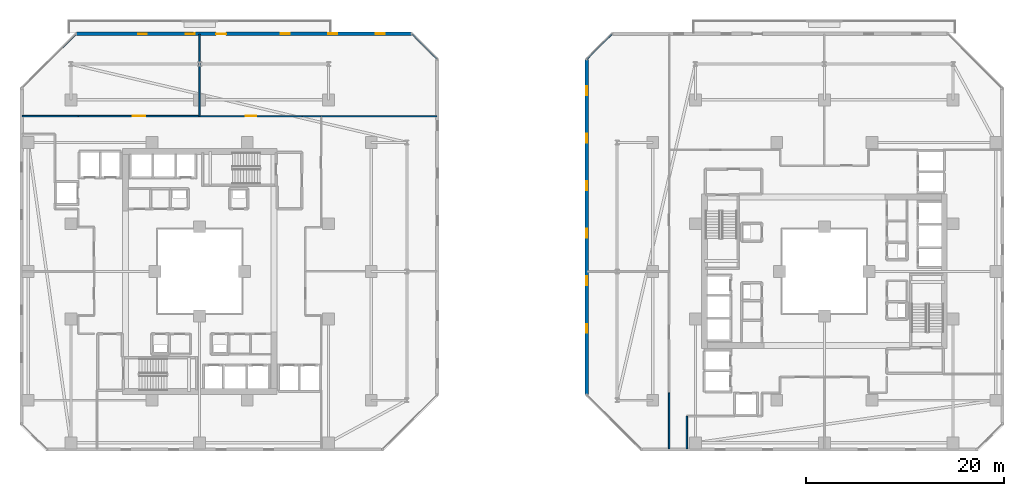
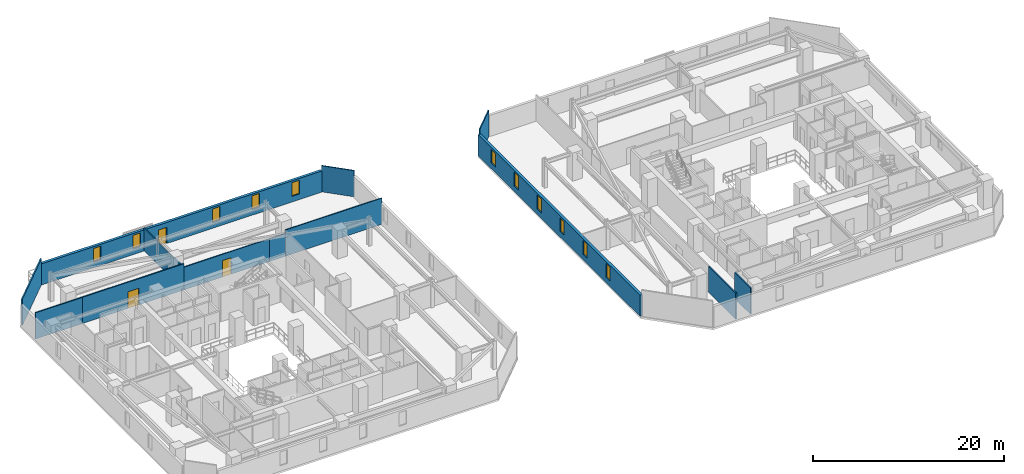
# One storey, part 19 of 29: 13 walls, 11 windows, 3 doors, 14 openings.
"""IFC4 building model written with IfcOpenShell, lengths in metres."""

import ifcopenshell
import ifcopenshell.guid

model = None  # the IFC model being written
_history = None  # IfcOwnerHistory: only IFC2X3 demands one
_inside = {}  # id of a spatial element -> (the spatial element, [elements in it])
_under = {}  # id of a project, library or spatial element -> (it, [spatial elements below it])
_declared = {}  # id of a project -> (the project, [libraries it declares])
_typed = {}  # id of a type object -> (the type object, [elements of that type])
_made_of = {}  # id of a material, layer set ... -> (it, [elements and type objects made of it])


def new_model(schema):
    """Start an empty IFC model of exactly this schema.

    Asked for "IFC4X3", IfcOpenShell would pick the latest addendum, in which some entities
    have other attributes; the version numbers below select the first issue.
    IFC2X3 requires an IfcOwnerHistory on every rooted entity: one is made here for all.
    """
    global model, _history
    if schema == "IFC4X3":
        model = ifcopenshell.file(schema_version=(4, 3, 0, 0))
    else:
        model = ifcopenshell.file(schema=schema)
    _inside.clear()
    _under.clear()
    _declared.clear()
    _typed.clear()
    _made_of.clear()
    _history = None
    if model.schema == "IFC2X3":
        org = make("IfcOrganization", Name="unknown")
        user = make(
            "IfcPersonAndOrganization",
            ThePerson=make("IfcPerson", FamilyName="unknown"),
            TheOrganization=org,
        )
        app = make(
            "IfcApplication",
            ApplicationDeveloper=org,
            Version="unknown",
            ApplicationFullName="unknown",
            ApplicationIdentifier="unknown",
        )
        _history = make(
            "IfcOwnerHistory",
            OwningUser=user,
            OwningApplication=app,
            ChangeAction="ADDED",
            CreationDate=0,
        )
    return model


def make(cls, **values):
    """One entity of the class cls with the attributes given. An attribute that is None is left unset."""
    return model.create_entity(
        cls, **{name: value for name, value in values.items() if value is not None}
    )


def rooted(cls, **values):
    """An entity with a GlobalId (a new one), such as an element, a storey or a relation."""
    return make(cls, GlobalId=ifcopenshell.guid.new(), OwnerHistory=_history, **values)


def si_unit(unit_type, name, prefix=None):
    """IfcSIUnit, for example si_unit("LENGTHUNIT", "METRE", prefix="MILLI")."""
    return make("IfcSIUnit", UnitType=unit_type, Prefix=prefix, Name=name)


def assignment(units):
    """IfcUnitAssignment: the units of a project."""
    return None if units is None else make("IfcUnitAssignment", Units=units)


def point(xyz):
    """IfcCartesianPoint."""
    return None if xyz is None else make("IfcCartesianPoint", Coordinates=xyz)


def direction(xyz):
    """IfcDirection."""
    return None if xyz is None else make("IfcDirection", DirectionRatios=xyz)


def frame(location, z_axis=None, x_axis=None):
    """IfcAxis2Placement3D, a coordinate frame: its origin and axes. An axis left out is left unset."""
    return make(
        "IfcAxis2Placement3D",
        Location=point(location),
        Axis=direction(z_axis),
        RefDirection=direction(x_axis),
    )


def frame_2d(location, x_axis=None):
    """IfcAxis2Placement2D, a coordinate frame in the plane: its origin and x axis."""
    return make(
        "IfcAxis2Placement2D", Location=point(location), RefDirection=direction(x_axis)
    )


def origin():
    """The frame at (0, 0, 0) with its axes left unset."""
    return frame((0.0, 0.0, 0.0))


def place(relative_to, where):
    """IfcLocalPlacement: puts the frame where relative to a parent placement (None: the world)."""
    return make(
        "IfcLocalPlacement", PlacementRelTo=relative_to, RelativePlacement=where
    )


def context(
    kind, dimensions, precision=None, world=None, true_north=None, identifier=None
):
    """IfcGeometricRepresentationContext, for example the 3D "Model" context."""
    return make(
        "IfcGeometricRepresentationContext",
        ContextIdentifier=identifier,
        ContextType=kind,
        CoordinateSpaceDimension=dimensions,
        Precision=precision,
        WorldCoordinateSystem=world,
        TrueNorth=true_north,
    )


def subcontext(parent, identifier, kind, view, scale=None):
    """IfcGeometricRepresentationSubContext, for example "Body" below "Model"."""
    return make(
        "IfcGeometricRepresentationSubContext",
        ContextIdentifier=identifier,
        ContextType=kind,
        ParentContext=parent,
        TargetScale=scale,
        TargetView=view,
    )


def project(units=None, contexts=None):
    """IfcProject with its units and contexts."""
    return rooted(
        "IfcProject",
        Name="project",
        RepresentationContexts=contexts,
        UnitsInContext=assignment(units),
    )


def spatial(cls, under=None, at=None, **own):
    """A site, building, storey or space (cls), placed at a placement, below another one or the project."""
    s = rooted(cls, ObjectPlacement=at, **own)
    if under is not None:
        _under.setdefault(under.id(), (under, []))[1].append(s)
    return s


def profile(cls, at=None, kind="AREA", **sizes):
    """A parametric profile (cls). Its sizes go by their IFC names, for example OverallWidth=200.0."""
    return make(cls, ProfileType=kind, Position=at, **sizes)


def rectangle(**sizes):
    """IfcRectangleProfileDef."""
    return profile("IfcRectangleProfileDef", **sizes)


def extrude(swept, where, along, depth):
    """IfcExtrudedAreaSolid: the profile swept, set in the frame where, extruded along a direction by depth."""
    return make(
        "IfcExtrudedAreaSolid",
        SweptArea=swept,
        Position=where,
        ExtrudedDirection=direction(along),
        Depth=depth,
    )


def shape(context_of_items, identifier, shape_type, items):
    """IfcShapeRepresentation: the items that make up one representation, for example the "Body"."""
    return make(
        "IfcShapeRepresentation",
        ContextOfItems=context_of_items,
        RepresentationIdentifier=identifier,
        RepresentationType=shape_type,
        Items=items,
    )


def material(Name=None, Category=None):
    """IfcMaterial."""
    return make("IfcMaterial", Name=Name, Category=Category)


def layer(
    of_material, thickness, ventilated=None, Name=None, Category=None, Priority=None
):
    """IfcMaterialLayer: one layer of a wall or slab, of a material (None: an air gap)."""
    return make(
        "IfcMaterialLayer",
        Material=of_material,
        LayerThickness=thickness,
        IsVentilated=ventilated,
        Name=Name,
        Category=Category,
        Priority=Priority,
    )


def layer_set(layers, Name=None):
    """IfcMaterialLayerSet."""
    return make("IfcMaterialLayerSet", MaterialLayers=layers, LayerSetName=Name)


def made_of(thing, what):
    """Note that an element or type object is made of a material, layer set ...; save() writes the relation."""
    if what is not None:
        _made_of.setdefault(what.id(), (what, []))[1].append(thing)
    return thing


def type_object(cls, material=None, **own):
    """A type object (cls), such as IfcWallType, which elements share."""
    return made_of(rooted(cls, **own), material)


def element(
    cls,
    number,
    at=None,
    inside=None,
    cuts=None,
    type_object=None,
    material=None,
    context=None,
    identifier="Body",
    shape_type=None,
    held_by="IfcProductDefinitionShape",
    body=None,
    shapes=None,
    **own,
):
    """One element of the class cls, such as IfcWall. Its Tag is "e" and its number.

    at: its placement. inside: the storey or other place that contains it. cuts: it is an
    opening in that element (IfcRelVoidsElement). A single representation is given by context,
    identifier, shape_type and body (its items); several are given by shapes. held_by: the class
    of the entity that holds the representations. save() writes the other relations.
    """
    e = rooted(cls, Tag="e%d" % number, ObjectPlacement=at, **own)
    if body is not None:
        shapes = [shape(context, identifier, shape_type, body)]
    if shapes is not None:
        e.Representation = make(held_by, Representations=shapes)
    if inside is not None:
        _inside.setdefault(inside.id(), (inside, []))[1].append(e)
    if cuts is not None:
        rooted(
            "IfcRelVoidsElement", RelatingBuildingElement=cuts, RelatedOpeningElement=e
        )
    if type_object is not None:
        _typed.setdefault(type_object.id(), (type_object, []))[1].append(e)
    return made_of(e, material)


def fill(opening, filler):
    """IfcRelFillsElement: the door or window that sits in an opening."""
    return rooted(
        "IfcRelFillsElement",
        RelatingOpeningElement=opening,
        RelatedBuildingElement=filler,
    )


def aggregate(whole, parts):
    """IfcRelAggregates: a whole, such as a stair, and the parts it consists of."""
    return rooted("IfcRelAggregates", RelatingObject=whole, RelatedObjects=parts)


def save(model, path):
    """Write the relations noted so far, then the file.

    IfcRelAggregates (storeys below a building ...), IfcRelContainedInSpatialStructure (elements
    in a storey), IfcRelDefinesByType, IfcRelAssociatesMaterial and IfcRelDeclares: one each for
    every whole, place, type object, material and project.
    """
    for whole, parts in _under.values():
        aggregate(whole, parts)
    for where, things in _inside.values():
        rooted(
            "IfcRelContainedInSpatialStructure",
            RelatedElements=things,
            RelatingStructure=where,
        )
    for kind, things in _typed.values():
        rooted("IfcRelDefinesByType", RelatedObjects=things, RelatingType=kind)
    for what, things in _made_of.values():
        rooted("IfcRelAssociatesMaterial", RelatedObjects=things, RelatingMaterial=what)
    for by, libraries in _declared.values():
        rooted("IfcRelDeclares", RelatingContext=by, RelatedDefinitions=libraries)
    model.write(path)


model = new_model("IFC4")

# Units and contexts
model_context = context("Model", 3, precision=1e-05, world=origin(), true_north=direction((0.0, 1.0)))
body_context = subcontext(model_context, "Body", "Model", "MODEL_VIEW")
ifc_project = project(units=[si_unit("LENGTHUNIT", "METRE"), si_unit("AREAUNIT", "SQUARE_METRE"), si_unit("VOLUMEUNIT", "CUBIC_METRE"), si_unit("PLANEANGLEUNIT", "RADIAN"), si_unit("MASSUNIT", "GRAM", prefix="KILO")], contexts=[model_context])

# Site, building, storey
site_placement = place(None, origin())
site = spatial("IfcSite", under=ifc_project, at=site_placement, CompositionType="ELEMENT")
building_placement = place(site_placement, origin())
building = spatial("IfcBuilding", under=site, at=building_placement, Name="Thornwick Lancets Civic Towers", CompositionType="ELEMENT")
storey_placement = place(building_placement, frame((0.0, 0.0, 83.699951171875)))
storey = spatial("IfcBuildingStorey", under=building, at=storey_placement, Name="L21", CompositionType="ELEMENT", Elevation=83.699951171875)

# Wall, openings, door, windows
ifc_material_1 = material(Name="Insulated buff terracotta rainscreen on concrete C40/50", Category="masonry")
ifc_layer_1 = layer(ifc_material_1, 0.320068359375, Name="Insulated buff terracotta rainscreen on concrete C40/50")
ifc_layer_set_1 = layer_set([ifc_layer_1], Name="Insulated buff terracotta rainscreen on concrete C40/50")
wall_type_1 = type_object("IfcWallType", Name="WALL_EXT_TERRA_320", PredefinedType="STANDARD", material=ifc_layer_set_1)
wall_1_placement = place(storey_placement, frame((46.88134765625, 50.964599609375, 0.0), z_axis=(0.0, 0.0, 1.0), x_axis=(-0.999999960392, -0.000281454314, 0.0)))
wall_1 = element("IfcWall", 1, at=wall_1_placement, inside=storey, type_object=wall_type_1, Name="L21 Tower A Terracotta Facade Wall E4", PredefinedType="STANDARD", context=body_context, shape_type="SweptSolid", body=[
    extrude(rectangle(XDim=33.82958984375, YDim=0.320068359375, at=frame_2d((16.914794921875, 0.0))), origin(), (0.0, 0.0, 1.0), 2.699951171875),
])
opening_1_placement = place(wall_1_placement, frame((18.71484375, 0.0, 0.0)))
opening_1 = element("IfcOpeningElement", 2, at=opening_1_placement, cuts=wall_1, Name="Opening D-BL-L21-AN", PredefinedType="OPENING", context=body_context, shape_type="SweptSolid", body=[
    extrude(rectangle(XDim=1.0, YDim=2.080078125, at=frame_2d((0.5, 1.0400390625))), frame((0.0, 0.169921875, 0.0), z_axis=(0.0, -1.0, 0.0), x_axis=(1.0, 0.0, 0.0)), (0.0, 0.0, 1.0), 0.340087890625),
])
opening_2_placement = place(wall_1_placement, frame((2.699951171875, 0.0, 0.719970703125)))
opening_2 = element("IfcOpeningElement", 3, at=opening_2_placement, cuts=wall_1, Name="Opening WL-01", PredefinedType="OPENING", context=body_context, shape_type="SweptSolid", body=[
    extrude(rectangle(XDim=0.89990234375, YDim=1.75, at=frame_2d((0.449951171875, 0.875))), frame((0.0, 0.169921875, 0.0), z_axis=(0.0, -1.0, 0.0), x_axis=(1.0, 0.0, 0.0)), (0.0, 0.0, 1.0), 0.340087890625),
])
opening_3_placement = place(wall_1_placement, frame((7.5, 0.0, 0.719970703125)))
opening_3 = element("IfcOpeningElement", 4, at=opening_3_placement, cuts=wall_1, Name="Opening WL-01", PredefinedType="OPENING", context=body_context, shape_type="SweptSolid", body=[
    extrude(rectangle(XDim=0.89990234375, YDim=1.75, at=frame_2d((0.449951171875, 0.875))), frame((0.0, 0.169921875, 0.0), z_axis=(0.0, -1.0, 0.0), x_axis=(1.0, 0.0, 0.0)), (0.0, 0.0, 1.0), 0.340087890625),
])
opening_4_placement = place(wall_1_placement, frame((12.300048828125, 0.0, 0.719970703125)))
opening_4 = element("IfcOpeningElement", 5, at=opening_4_placement, cuts=wall_1, Name="Opening WL-01", PredefinedType="OPENING", context=body_context, shape_type="SweptSolid", body=[
    extrude(rectangle(XDim=0.89990234375, YDim=1.75, at=frame_2d((0.449951171875, 0.875))), frame((0.0, 0.169921875, 0.0), z_axis=(0.0, -1.0, 0.0), x_axis=(1.0, 0.0, 0.0)), (0.0, 0.0, 1.0), 0.340087890625),
])
opening_5_placement = place(wall_1_placement, frame((21.89990234375, 0.0, 0.719970703125)))
opening_5 = element("IfcOpeningElement", 6, at=opening_5_placement, cuts=wall_1, Name="Opening WL-01", PredefinedType="OPENING", context=body_context, shape_type="SweptSolid", body=[
    extrude(rectangle(XDim=0.89990234375, YDim=1.75, at=frame_2d((0.449951171875, 0.875))), frame((0.0, 0.169921875, 0.0), z_axis=(0.0, -1.0, 0.0), x_axis=(1.0, 0.0, 0.0)), (0.0, 0.0, 1.0), 0.340087890625),
])
opening_6_placement = place(wall_1_placement, frame((26.699951171875, 0.0, 0.719970703125)))
opening_6 = element("IfcOpeningElement", 7, at=opening_6_placement, cuts=wall_1, Name="Opening WL-01", PredefinedType="OPENING", context=body_context, shape_type="SweptSolid", body=[
    extrude(rectangle(XDim=0.89990234375, YDim=1.75, at=frame_2d((0.449951171875, 0.875))), frame((0.0, 0.169921875, 0.0), z_axis=(0.0, -1.0, 0.0), x_axis=(1.0, 0.0, 0.0)), (0.0, 0.0, 1.0), 0.340087890625),
])
ifc_material_2 = material(Name="Thermally broken glazed loggia doorset")
door_type_1 = type_object("IfcDoorType", Name="DOOR_BALC_1000", OperationType="NOTDEFINED", PredefinedType="DOOR", material=ifc_material_2)
door_1_placement = place(opening_1_placement, origin())
door_1 = element("IfcDoor", 8, at=door_1_placement, inside=storey, type_object=door_type_1, Name="L21 Tower A Loggia Balcony Door N", OperationType="SINGLE_SWING_RIGHT", OverallHeight=2.080078125, OverallWidth=1.0, PredefinedType="DOOR", context=body_context, shape_type="SweptSolid", body=[
    extrude(rectangle(XDim=1.0, YDim=2.080078125, at=frame_2d((0.5, 1.0400390625))), frame((0.0, 0.02490234375, 0.0), z_axis=(0.0, -1.0, 0.0), x_axis=(1.0, 0.0, 0.0)), (0.0, 0.0, 1.0), 0.050048828125),
])
fill(opening_1, door_1)
ifc_material_3 = material(Name="Clear low-e double glazing in bronze frame", Category="glass")
window_type = type_object("IfcWindowType", Name="WIN_LANCET_900", PartitioningType="SINGLE_PANEL", PredefinedType="WINDOW", material=ifc_material_3)
window_1_placement = place(opening_2_placement, origin())
window_1 = element("IfcWindow", 9, at=window_1_placement, inside=storey, type_object=window_type, Name="L21 Tower A Staggered Lancet Window E4-1", OverallHeight=1.75, OverallWidth=0.89990234375, PartitioningType="SINGLE_PANEL", PredefinedType="WINDOW", context=body_context, shape_type="SweptSolid", body=[
    extrude(rectangle(XDim=0.89990234375, YDim=1.75, at=frame_2d((0.449951171875, 0.875))), frame((0.0, 0.030029296875, 0.0), z_axis=(0.0, -1.0, 0.0), x_axis=(1.0, 0.0, 0.0)), (0.0, 0.0, 1.0), 0.06005859375),
])
fill(opening_2, window_1)
window_2_placement = place(opening_3_placement, origin())
window_2 = element("IfcWindow", 10, at=window_2_placement, inside=storey, type_object=window_type, Name="L21 Tower A Staggered Lancet Window E4-2", OverallHeight=1.75, OverallWidth=0.89990234375, PartitioningType="SINGLE_PANEL", PredefinedType="WINDOW", context=body_context, shape_type="SweptSolid", body=[
    extrude(rectangle(XDim=0.89990234375, YDim=1.75, at=frame_2d((0.449951171875, 0.875))), frame((0.0, 0.030029296875, 0.0), z_axis=(0.0, -1.0, 0.0), x_axis=(1.0, 0.0, 0.0)), (0.0, 0.0, 1.0), 0.06005859375),
])
fill(opening_3, window_2)
window_3_placement = place(opening_4_placement, origin())
window_3 = element("IfcWindow", 11, at=window_3_placement, inside=storey, type_object=window_type, Name="L21 Tower A Staggered Lancet Window E4-3", OverallHeight=1.75, OverallWidth=0.89990234375, PartitioningType="SINGLE_PANEL", PredefinedType="WINDOW", context=body_context, shape_type="SweptSolid", body=[
    extrude(rectangle(XDim=0.89990234375, YDim=1.75, at=frame_2d((0.449951171875, 0.875))), frame((0.0, 0.030029296875, 0.0), z_axis=(0.0, -1.0, 0.0), x_axis=(1.0, 0.0, 0.0)), (0.0, 0.0, 1.0), 0.06005859375),
])
fill(opening_4, window_3)
window_4_placement = place(opening_5_placement, origin())
window_4 = element("IfcWindow", 12, at=window_4_placement, inside=storey, type_object=window_type, Name="L21 Tower A Staggered Lancet Window E4-4", OverallHeight=1.75, OverallWidth=0.89990234375, PartitioningType="SINGLE_PANEL", PredefinedType="WINDOW", context=body_context, shape_type="SweptSolid", body=[
    extrude(rectangle(XDim=0.89990234375, YDim=1.75, at=frame_2d((0.449951171875, 0.875))), frame((0.0, 0.030029296875, 0.0), z_axis=(0.0, -1.0, 0.0), x_axis=(1.0, 0.0, 0.0)), (0.0, 0.0, 1.0), 0.06005859375),
])
fill(opening_5, window_4)
window_5_placement = place(opening_6_placement, origin())
window_5 = element("IfcWindow", 13, at=window_5_placement, inside=storey, type_object=window_type, Name="L21 Tower A Staggered Lancet Window E4-5", OverallHeight=1.75, OverallWidth=0.89990234375, PartitioningType="SINGLE_PANEL", PredefinedType="WINDOW", context=body_context, shape_type="SweptSolid", body=[
    extrude(rectangle(XDim=0.89990234375, YDim=1.75, at=frame_2d((0.449951171875, 0.875))), frame((0.0, 0.030029296875, 0.0), z_axis=(0.0, -1.0, 0.0), x_axis=(1.0, 0.0, 0.0)), (0.0, 0.0, 1.0), 0.06005859375),
])
fill(opening_6, window_5)

# Wall, openings, windows
wall_2_placement = place(storey_placement, frame((64.535400390625, 48.38134765625, 0.0), z_axis=(0.0, 0.0, 1.0), x_axis=(0.000281454314, -0.999999960392, 0.0)))
wall_2 = element("IfcWall", 14, at=wall_2_placement, inside=storey, type_object=wall_type_1, Name="L21 Tower B Terracotta Facade Wall E6", PredefinedType="STANDARD", context=body_context, shape_type="SweptSolid", body=[
    extrude(rectangle(XDim=33.82958984375, YDim=0.320068359375, at=frame_2d((16.914794921875, 0.0))), origin(), (0.0, 0.0, 1.0), 2.699951171875),
])
opening_7_placement = place(wall_2_placement, frame((2.699951171875, 0.0, 0.719970703125)))
opening_7 = element("IfcOpeningElement", 15, at=opening_7_placement, cuts=wall_2, Name="Opening WL-01", PredefinedType="OPENING", context=body_context, shape_type="SweptSolid", body=[
    extrude(rectangle(XDim=0.89990234375, YDim=1.75, at=frame_2d((0.449951171875, 0.875))), frame((0.0, 0.169921875, 0.0), z_axis=(0.0, -1.0, 0.0), x_axis=(1.0, 0.0, 0.0)), (0.0, 0.0, 1.0), 0.340087890625),
])
opening_8_placement = place(wall_2_placement, frame((7.5, 0.0, 0.719970703125)))
opening_8 = element("IfcOpeningElement", 16, at=opening_8_placement, cuts=wall_2, Name="Opening WL-01", PredefinedType="OPENING", context=body_context, shape_type="SweptSolid", body=[
    extrude(rectangle(XDim=0.89990234375, YDim=1.75, at=frame_2d((0.449951171875, 0.875))), frame((0.0, 0.169921875, 0.0), z_axis=(0.0, -1.0, 0.0), x_axis=(1.0, 0.0, 0.0)), (0.0, 0.0, 1.0), 0.340087890625),
])
opening_9_placement = place(wall_2_placement, frame((12.300048828125, 0.0, 0.719970703125)))
opening_9 = element("IfcOpeningElement", 17, at=opening_9_placement, cuts=wall_2, Name="Opening WL-01", PredefinedType="OPENING", context=body_context, shape_type="SweptSolid", body=[
    extrude(rectangle(XDim=0.89990234375, YDim=1.75, at=frame_2d((0.449951171875, 0.875))), frame((0.0, 0.169921875, 0.0), z_axis=(0.0, -1.0, 0.0), x_axis=(1.0, 0.0, 0.0)), (0.0, 0.0, 1.0), 0.340087890625),
])
opening_10_placement = place(wall_2_placement, frame((17.10009765625, 0.0, 0.719970703125)))
opening_10 = element("IfcOpeningElement", 18, at=opening_10_placement, cuts=wall_2, Name="Opening WL-01", PredefinedType="OPENING", context=body_context, shape_type="SweptSolid", body=[
    extrude(rectangle(XDim=0.89990234375, YDim=1.75, at=frame_2d((0.449951171875, 0.875))), frame((0.0, 0.169921875, 0.0), z_axis=(0.0, -1.0, 0.0), x_axis=(1.0, 0.0, 0.0)), (0.0, 0.0, 1.0), 0.340087890625),
])
opening_11_placement = place(wall_2_placement, frame((21.89990234375, 0.0, 0.719970703125)))
opening_11 = element("IfcOpeningElement", 19, at=opening_11_placement, cuts=wall_2, Name="Opening WL-01", PredefinedType="OPENING", context=body_context, shape_type="SweptSolid", body=[
    extrude(rectangle(XDim=0.89990234375, YDim=1.75, at=frame_2d((0.449951171875, 0.875))), frame((0.0, 0.169921875, 0.0), z_axis=(0.0, -1.0, 0.0), x_axis=(1.0, 0.0, 0.0)), (0.0, 0.0, 1.0), 0.340087890625),
])
opening_12_placement = place(wall_2_placement, frame((26.699951171875, 0.0, 0.719970703125)))
opening_12 = element("IfcOpeningElement", 20, at=opening_12_placement, cuts=wall_2, Name="Opening WL-01", PredefinedType="OPENING", context=body_context, shape_type="SweptSolid", body=[
    extrude(rectangle(XDim=0.89990234375, YDim=1.75, at=frame_2d((0.449951171875, 0.875))), frame((0.0, 0.169921875, 0.0), z_axis=(0.0, -1.0, 0.0), x_axis=(1.0, 0.0, 0.0)), (0.0, 0.0, 1.0), 0.340087890625),
])
window_6_placement = place(opening_7_placement, origin())
window_6 = element("IfcWindow", 21, at=window_6_placement, inside=storey, type_object=window_type, Name="L21 Tower B Staggered Lancet Window E6-1", OverallHeight=1.75, OverallWidth=0.89990234375, PartitioningType="SINGLE_PANEL", PredefinedType="WINDOW", context=body_context, shape_type="SweptSolid", body=[
    extrude(rectangle(XDim=0.89990234375, YDim=1.75, at=frame_2d((0.449951171875, 0.875))), frame((0.0, 0.030029296875, 0.0), z_axis=(0.0, -1.0, 0.0), x_axis=(1.0, 0.0, 0.0)), (0.0, 0.0, 1.0), 0.06005859375),
])
fill(opening_7, window_6)
window_7_placement = place(opening_8_placement, origin())
window_7 = element("IfcWindow", 22, at=window_7_placement, inside=storey, type_object=window_type, Name="L21 Tower B Staggered Lancet Window E6-2", OverallHeight=1.75, OverallWidth=0.89990234375, PartitioningType="SINGLE_PANEL", PredefinedType="WINDOW", context=body_context, shape_type="SweptSolid", body=[
    extrude(rectangle(XDim=0.89990234375, YDim=1.75, at=frame_2d((0.449951171875, 0.875))), frame((0.0, 0.030029296875, 0.0), z_axis=(0.0, -1.0, 0.0), x_axis=(1.0, 0.0, 0.0)), (0.0, 0.0, 1.0), 0.06005859375),
])
fill(opening_8, window_7)
window_8_placement = place(opening_9_placement, origin())
window_8 = element("IfcWindow", 23, at=window_8_placement, inside=storey, type_object=window_type, Name="L21 Tower B Staggered Lancet Window E6-3", OverallHeight=1.75, OverallWidth=0.89990234375, PartitioningType="SINGLE_PANEL", PredefinedType="WINDOW", context=body_context, shape_type="SweptSolid", body=[
    extrude(rectangle(XDim=0.89990234375, YDim=1.75, at=frame_2d((0.449951171875, 0.875))), frame((0.0, 0.030029296875, 0.0), z_axis=(0.0, -1.0, 0.0), x_axis=(1.0, 0.0, 0.0)), (0.0, 0.0, 1.0), 0.06005859375),
])
fill(opening_9, window_8)
window_9_placement = place(opening_10_placement, origin())
window_9 = element("IfcWindow", 24, at=window_9_placement, inside=storey, type_object=window_type, Name="L21 Tower B Staggered Lancet Window E6-4", OverallHeight=1.75, OverallWidth=0.89990234375, PartitioningType="SINGLE_PANEL", PredefinedType="WINDOW", context=body_context, shape_type="SweptSolid", body=[
    extrude(rectangle(XDim=0.89990234375, YDim=1.75, at=frame_2d((0.449951171875, 0.875))), frame((0.0, 0.030029296875, 0.0), z_axis=(0.0, -1.0, 0.0), x_axis=(1.0, 0.0, 0.0)), (0.0, 0.0, 1.0), 0.06005859375),
])
fill(opening_10, window_9)
window_10_placement = place(opening_11_placement, origin())
window_10 = element("IfcWindow", 25, at=window_10_placement, inside=storey, type_object=window_type, Name="L21 Tower B Staggered Lancet Window E6-5", OverallHeight=1.75, OverallWidth=0.89990234375, PartitioningType="SINGLE_PANEL", PredefinedType="WINDOW", context=body_context, shape_type="SweptSolid", body=[
    extrude(rectangle(XDim=0.89990234375, YDim=1.75, at=frame_2d((0.449951171875, 0.875))), frame((0.0, 0.030029296875, 0.0), z_axis=(0.0, -1.0, 0.0), x_axis=(1.0, 0.0, 0.0)), (0.0, 0.0, 1.0), 0.06005859375),
])
fill(opening_11, window_10)
window_11_placement = place(opening_12_placement, origin())
window_11 = element("IfcWindow", 26, at=window_11_placement, inside=storey, type_object=window_type, Name="L21 Tower B Staggered Lancet Window E6-6", OverallHeight=1.75, OverallWidth=0.89990234375, PartitioningType="SINGLE_PANEL", PredefinedType="WINDOW", context=body_context, shape_type="SweptSolid", body=[
    extrude(rectangle(XDim=0.89990234375, YDim=1.75, at=frame_2d((0.449951171875, 0.875))), frame((0.0, 0.030029296875, 0.0), z_axis=(0.0, -1.0, 0.0), x_axis=(1.0, 0.0, 0.0)), (0.0, 0.0, 1.0), 0.06005859375),
])
fill(opening_12, window_11)

# Walls
ifc_material_4 = material(Name="Acoustic gypsum board partition")
ifc_layer_2 = layer(ifc_material_4, 0.1201171875, Name="Acoustic gypsum board partition")
ifc_layer_set_2 = layer_set([ifc_layer_2], Name="Acoustic gypsum board partition")
wall_type_2 = type_object("IfcWallType", Name="WALL_PART_120", PredefinedType="PARTITIONING", material=ifc_layer_set_2)
wall_3_placement = place(storey_placement, frame((37.75, 42.64990234375, 0.0), z_axis=(0.0, 0.0, 1.0), x_axis=(1.0, 0.0, 0.0)))
element("IfcWall", 27, at=wall_3_placement, inside=storey, type_object=wall_type_2, Name="L21 Partition L21-A-E2 E4", PredefinedType="PARTITIONING", context=body_context, shape_type="SweptSolid", body=[
    extrude(rectangle(XDim=11.669921875, YDim=0.1201171875, at=frame_2d((5.8349609375, 0.0))), origin(), (0.0, 0.0, 1.0), 3.340087890625),
])
wall_4_placement = place(storey_placement, frame((37.75, 42.64990234375, 0.0), z_axis=(0.0, 0.0, 1.0), x_axis=(-1.0, 0.0, 0.0)))
element("IfcWall", 28, at=wall_4_placement, inside=storey, type_object=wall_type_2, Name="L21 Partition L21-A-N-OFF E1", PredefinedType="PARTITIONING", context=body_context, shape_type="SweptSolid", body=[
    extrude(rectangle(XDim=1.89990234375, YDim=0.1201171875, at=frame_2d((0.949951171875, 0.0))), origin(), (0.0, 0.0, 1.0), 2.89501953125),
])

# Wall, opening, door
wall_5_placement = place(storey_placement, frame((35.85009765625, 42.64990234375, 0.0), z_axis=(0.0, 0.0, 1.0), x_axis=(-1.0, 0.0, 0.0)))
wall_5 = element("IfcWall", 29, at=wall_5_placement, inside=storey, type_object=wall_type_2, Name="L21 Partition L21-A-N-OFF E2", PredefinedType="PARTITIONING", context=body_context, shape_type="SweptSolid", body=[
    extrude(rectangle(XDim=10.35009765625, YDim=0.1201171875, at=frame_2d((5.175048828125, 0.0))), origin(), (0.0, 0.0, 1.0), 2.89501953125),
])
opening_13_placement = place(wall_5_placement, frame((4.64990234375, 0.0, 0.0)))
opening_13 = element("IfcOpeningElement", 30, at=opening_13_placement, cuts=wall_5, Name="Opening D-L21-0996", PredefinedType="OPENING", context=body_context, shape_type="SweptSolid", body=[
    extrude(rectangle(XDim=1.050048828125, YDim=2.10009765625, at=frame_2d((0.52490234375, 1.050048828125))), frame((0.0, 0.070068359375, 0.0), z_axis=(0.0, -1.0, 0.0), x_axis=(1.0, 0.0, 0.0)), (0.0, 0.0, 1.0), 0.14013671875),
])
ifc_material_5 = material(Name="Glazed European oak executive doorset")
door_type_2 = type_object("IfcDoorType", Name="DOOR_OFFICE_1050", OperationType="NOTDEFINED", PredefinedType="DOOR", material=ifc_material_5)
door_2_placement = place(opening_13_placement, origin())
door_2 = element("IfcDoor", 31, at=door_2_placement, inside=storey, type_object=door_type_2, Name="L21 Tower A North Policy Office Door", OperationType="SINGLE_SWING_LEFT", OverallHeight=2.10009765625, OverallWidth=1.050048828125, PredefinedType="DOOR", context=body_context, shape_type="SweptSolid", body=[
    extrude(rectangle(XDim=1.050048828125, YDim=2.10009765625, at=frame_2d((0.52490234375, 1.050048828125))), frame((0.0, 0.02490234375, 0.0), z_axis=(0.0, -1.0, 0.0), x_axis=(1.0, 0.0, 0.0)), (0.0, 0.0, 1.0), 0.050048828125),
])
fill(opening_13, door_2)

# Walls
for number, where, z_axis, x_axis, name in (
    (32, (46.92529296875, 50.919921875, 0.0), (0.0, 0.0, 1.0), (0.707106781187, -0.707106781187, 0.0), "L21 Partition L21-A-N-OFF E5"),
    (33, (64.580078125, 48.42529296875, 0.0), (0.0, 0.0, 1.0), (0.707106781187, 0.707106781187, 0.0), "L21 Partition L21-B-N-OFF E2"),
):
    element("IfcWall", number, at=place(storey_placement, frame(where, z_axis=z_axis, x_axis=x_axis)), inside=storey, type_object=wall_type_2, Name=name, PredefinedType="PARTITIONING", context=body_context, shape_type="SweptSolid", body=[
        extrude(rectangle(XDim=3.52783203125, YDim=0.1201171875, at=frame_2d((1.763916015625, 0.0))), origin(), (0.0, 0.0, 1.0), 3.340087890625),
    ])
ifc_material_6 = material(Name="Twin-stud acoustic gypsum board")
ifc_layer_3 = layer(ifc_material_6, 0.14990234375, Name="Twin-stud acoustic gypsum board")
ifc_layer_set_3 = layer_set([ifc_layer_3], Name="Twin-stud acoustic gypsum board")
wall_type_3 = type_object("IfcWallType", Name="WALL_PART_150", PredefinedType="PARTITIONING", material=ifc_layer_set_3)
wall_6_placement = place(storey_placement, frame((13.25, 42.64990234375, 0.0), z_axis=(0.0, 0.0, 1.0), x_axis=(-1.0, 0.0, 0.0)))
element("IfcWall", 34, at=wall_6_placement, inside=storey, type_object=wall_type_3, Name="L21 Partition L21-A-N-CONF E1", PredefinedType="PARTITIONING", context=body_context, shape_type="SweptSolid", body=[
    extrude(rectangle(XDim=5.669921875, YDim=0.14990234375, at=frame_2d((2.8349609375, 0.0))), origin(), (0.0, 0.0, 1.0), 3.340087890625),
])
wall_7_placement = place(storey_placement, frame((7.580078125, 45.48046875, 0.0), z_axis=(0.0, 0.0, 1.0), x_axis=(0.707106781187, 0.707106781187, 0.0)))
element("IfcWall", 35, at=wall_7_placement, inside=storey, type_object=wall_type_3, Name="L21 Partition L21-A-N-CONF E3", PredefinedType="PARTITIONING", context=body_context, shape_type="SweptSolid", body=[
    extrude(rectangle(XDim=7.692626953125, YDim=0.14990234375, at=frame_2d((3.84619140625, 0.0))), origin(), (0.0, 0.0, 1.0), 3.340087890625),
])
wall_8_placement = place(storey_placement, frame((25.5, 50.919921875, 0.0), z_axis=(0.0, 0.0, 1.0), x_axis=(0.0, -1.0, 0.0)))
element("IfcWall", 36, at=wall_8_placement, inside=storey, type_object=wall_type_3, Name="L21 Partition L21-A-N-CONF E5", PredefinedType="PARTITIONING", context=body_context, shape_type="SweptSolid", body=[
    extrude(rectangle(XDim=8.27001953125, YDim=0.14990234375, at=frame_2d((4.135009765625, 0.0))), origin(), (0.0, 0.0, 1.0), 2.881591796875),
])

# Wall, opening, door
wall_9_placement = place(storey_placement, frame((25.5, 42.64990234375, 0.0), z_axis=(0.0, 0.0, 1.0), x_axis=(-1.0, 0.0, 0.0)))
wall_9 = element("IfcWall", 37, at=wall_9_placement, inside=storey, type_object=wall_type_3, Name="L21 Partition L21-A-N-CONF E6", PredefinedType="PARTITIONING", context=body_context, shape_type="SweptSolid", body=[
    extrude(rectangle(XDim=12.25, YDim=0.14990234375, at=frame_2d((6.125, 0.0))), origin(), (0.0, 0.0, 1.0), 3.340087890625),
])
opening_14_placement = place(wall_9_placement, frame((5.47509765625, 0.0, 0.0)))
opening_14 = element("IfcOpeningElement", 38, at=opening_14_placement, cuts=wall_9, Name="Opening D-L21-0995", PredefinedType="OPENING", context=body_context, shape_type="SweptSolid", body=[
    extrude(rectangle(XDim=1.300048828125, YDim=2.1201171875, at=frame_2d((0.64990234375, 1.06005859375))), frame((0.0, 0.0849609375, 0.0), z_axis=(0.0, -1.0, 0.0), x_axis=(1.0, 0.0, 0.0)), (0.0, 0.0, 1.0), 0.169921875),
])
ifc_material_7 = material(Name="Acoustic oak leaf-and-a-half doorset")
door_type_3 = type_object("IfcDoorType", Name="DOOR_MEET_1300", OperationType="DOUBLE_DOOR_SINGLE_SWING", PredefinedType="DOOR", material=ifc_material_7)
door_3_placement = place(opening_14_placement, origin())
door_3 = element("IfcDoor", 39, at=door_3_placement, inside=storey, type_object=door_type_3, Name="L21 Tower A North Conference Room Door", OperationType="DOUBLE_DOOR_SINGLE_SWING", OverallHeight=2.1201171875, OverallWidth=1.300048828125, PredefinedType="DOOR", context=body_context, shape_type="SweptSolid", body=[
    extrude(rectangle(XDim=1.300048828125, YDim=2.1201171875, at=frame_2d((0.64990234375, 1.06005859375))), frame((0.0, 0.02490234375, 0.0), z_axis=(0.0, -1.0, 0.0), x_axis=(1.0, 0.0, 0.0)), (0.0, 0.0, 1.0), 0.050048828125),
])
fill(opening_14, door_3)

# Walls
wall_10_placement = place(storey_placement, frame((74.64990234375, 9.080078125, 0.0), z_axis=(0.0, 0.0, 1.0), x_axis=(0.0, 1.0, 0.0)))
element("IfcWall", 40, at=wall_10_placement, inside=storey, type_object=wall_type_3, Name="L21 Partition L21-B-W2 E8", PredefinedType="PARTITIONING", context=body_context, shape_type="SweptSolid", body=[
    extrude(rectangle(XDim=3.31982421875, YDim=0.14990234375, at=frame_2d((1.659912109375, 0.0))), origin(), (0.0, 0.0, 1.0), 3.340087890625),
])
wall_11_placement = place(storey_placement, frame((72.85009765625, 14.75, 0.0), z_axis=(0.0, 0.0, 1.0), x_axis=(0.0, -1.0, 0.0)))
element("IfcWall", 41, at=wall_11_placement, inside=storey, type_object=wall_type_3, Name="L21 Partition L21-B-N-CONF E1", PredefinedType="PARTITIONING", context=body_context, shape_type="SweptSolid", body=[
    extrude(rectangle(XDim=5.669921875, YDim=0.14990234375, at=frame_2d((2.8349609375, 0.0))), origin(), (0.0, 0.0, 1.0), 3.340087890625),
])

save(model, "model.ifc")
